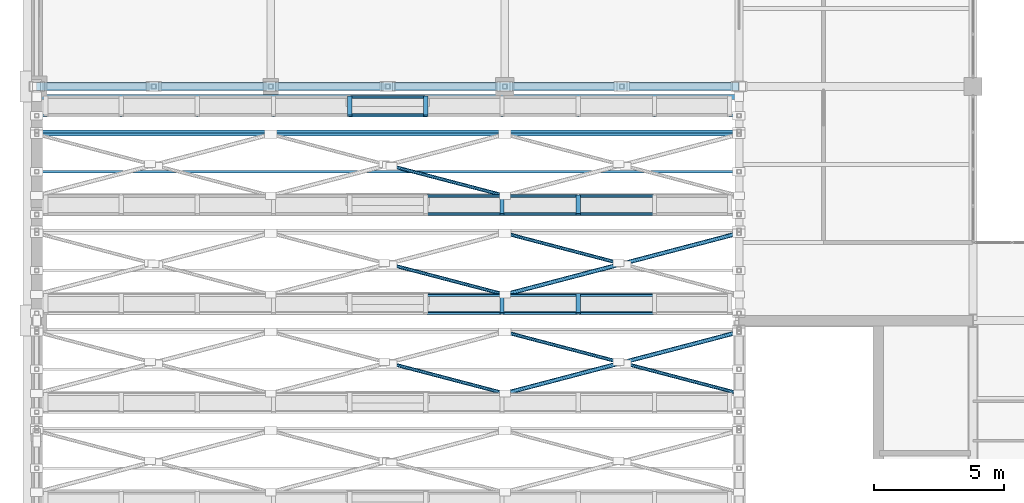
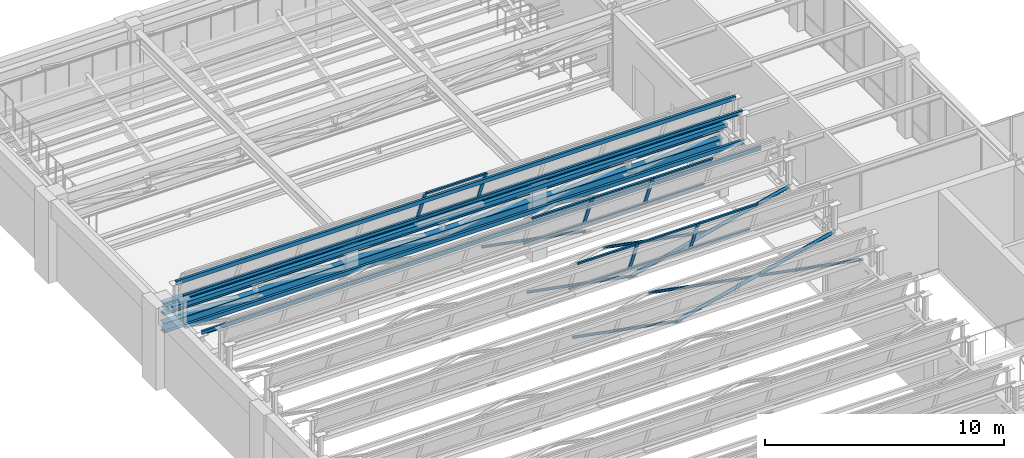
# One storey, part 24 of 108: 32 members, 3 beams, 3 elements without a shape of their own.
"""IFC4 building model written with IfcOpenShell, lengths in metres."""

import ifcopenshell
import ifcopenshell.guid

model = None  # the IFC model being written
_history = None  # IfcOwnerHistory: only IFC2X3 demands one
_inside = {}  # id of a spatial element -> (the spatial element, [elements in it])
_under = {}  # id of a project, library or spatial element -> (it, [spatial elements below it])
_declared = {}  # id of a project -> (the project, [libraries it declares])
_typed = {}  # id of a type object -> (the type object, [elements of that type])
_made_of = {}  # id of a material, layer set ... -> (it, [elements and type objects made of it])


def new_model(schema):
    """Start an empty IFC model of exactly this schema.

    Asked for "IFC4X3", IfcOpenShell would pick the latest addendum, in which some entities
    have other attributes; the version numbers below select the first issue.
    IFC2X3 requires an IfcOwnerHistory on every rooted entity: one is made here for all.
    """
    global model, _history
    if schema == "IFC4X3":
        model = ifcopenshell.file(schema_version=(4, 3, 0, 0))
    else:
        model = ifcopenshell.file(schema=schema)
    _inside.clear()
    _under.clear()
    _declared.clear()
    _typed.clear()
    _made_of.clear()
    _history = None
    if model.schema == "IFC2X3":
        org = make("IfcOrganization", Name="unknown")
        user = make(
            "IfcPersonAndOrganization",
            ThePerson=make("IfcPerson", FamilyName="unknown"),
            TheOrganization=org,
        )
        app = make(
            "IfcApplication",
            ApplicationDeveloper=org,
            Version="unknown",
            ApplicationFullName="unknown",
            ApplicationIdentifier="unknown",
        )
        _history = make(
            "IfcOwnerHistory",
            OwningUser=user,
            OwningApplication=app,
            ChangeAction="ADDED",
            CreationDate=0,
        )
    return model


def make(cls, **values):
    """One entity of the class cls with the attributes given. An attribute that is None is left unset."""
    return model.create_entity(
        cls, **{name: value for name, value in values.items() if value is not None}
    )


def rooted(cls, **values):
    """An entity with a GlobalId (a new one), such as an element, a storey or a relation."""
    return make(cls, GlobalId=ifcopenshell.guid.new(), OwnerHistory=_history, **values)


def si_unit(unit_type, name, prefix=None):
    """IfcSIUnit, for example si_unit("LENGTHUNIT", "METRE", prefix="MILLI")."""
    return make("IfcSIUnit", UnitType=unit_type, Prefix=prefix, Name=name)


def assignment(units):
    """IfcUnitAssignment: the units of a project."""
    return None if units is None else make("IfcUnitAssignment", Units=units)


def point(xyz):
    """IfcCartesianPoint."""
    return None if xyz is None else make("IfcCartesianPoint", Coordinates=xyz)


def direction(xyz):
    """IfcDirection."""
    return None if xyz is None else make("IfcDirection", DirectionRatios=xyz)


def frame(location, z_axis=None, x_axis=None):
    """IfcAxis2Placement3D, a coordinate frame: its origin and axes. An axis left out is left unset."""
    return make(
        "IfcAxis2Placement3D",
        Location=point(location),
        Axis=direction(z_axis),
        RefDirection=direction(x_axis),
    )


def frame_2d(location, x_axis=None):
    """IfcAxis2Placement2D, a coordinate frame in the plane: its origin and x axis."""
    return make(
        "IfcAxis2Placement2D", Location=point(location), RefDirection=direction(x_axis)
    )


def origin():
    """The frame at (0, 0, 0) with its axes left unset."""
    return frame((0.0, 0.0, 0.0))


def origin_2d():
    """The frame at (0, 0) in the plane with its x axis left unset."""
    return frame_2d((0.0, 0.0))


def place(relative_to, where):
    """IfcLocalPlacement: puts the frame where relative to a parent placement (None: the world)."""
    return make(
        "IfcLocalPlacement", PlacementRelTo=relative_to, RelativePlacement=where
    )


def context(
    kind, dimensions, precision=None, world=None, true_north=None, identifier=None
):
    """IfcGeometricRepresentationContext, for example the 3D "Model" context."""
    return make(
        "IfcGeometricRepresentationContext",
        ContextIdentifier=identifier,
        ContextType=kind,
        CoordinateSpaceDimension=dimensions,
        Precision=precision,
        WorldCoordinateSystem=world,
        TrueNorth=true_north,
    )


def subcontext(parent, identifier, kind, view, scale=None):
    """IfcGeometricRepresentationSubContext, for example "Body" below "Model"."""
    return make(
        "IfcGeometricRepresentationSubContext",
        ContextIdentifier=identifier,
        ContextType=kind,
        ParentContext=parent,
        TargetScale=scale,
        TargetView=view,
    )


def project(units=None, contexts=None):
    """IfcProject with its units and contexts."""
    return rooted(
        "IfcProject",
        Name="project",
        RepresentationContexts=contexts,
        UnitsInContext=assignment(units),
    )


def spatial(cls, under=None, at=None, **own):
    """A site, building, storey or space (cls), placed at a placement, below another one or the project."""
    s = rooted(cls, ObjectPlacement=at, **own)
    if under is not None:
        _under.setdefault(under.id(), (under, []))[1].append(s)
    return s


def profile(cls, at=None, kind="AREA", **sizes):
    """A parametric profile (cls). Its sizes go by their IFC names, for example OverallWidth=200.0."""
    return make(cls, ProfileType=kind, Position=at, **sizes)


def hollow_rectangle(**sizes):
    """IfcRectangleHollowProfileDef."""
    return profile("IfcRectangleHollowProfileDef", **sizes)


def hollow_circle(**sizes):
    """IfcCircleHollowProfileDef."""
    return profile("IfcCircleHollowProfileDef", **sizes)


def i_section(**sizes):
    """IfcIShapeProfileDef."""
    return profile("IfcIShapeProfileDef", **sizes)


def extrude(swept, where, along, depth):
    """IfcExtrudedAreaSolid: the profile swept, set in the frame where, extruded along a direction by depth."""
    return make(
        "IfcExtrudedAreaSolid",
        SweptArea=swept,
        Position=where,
        ExtrudedDirection=direction(along),
        Depth=depth,
    )


def shape(context_of_items, identifier, shape_type, items):
    """IfcShapeRepresentation: the items that make up one representation, for example the "Body"."""
    return make(
        "IfcShapeRepresentation",
        ContextOfItems=context_of_items,
        RepresentationIdentifier=identifier,
        RepresentationType=shape_type,
        Items=items,
    )


def material(Name=None, Category=None):
    """IfcMaterial."""
    return make("IfcMaterial", Name=Name, Category=Category)


def material_profile(
    of_material, cross_section, Name=None, Category=None, Priority=None
):
    """IfcMaterialProfile: a cross section and its material."""
    return make(
        "IfcMaterialProfile",
        Name=Name,
        Material=of_material,
        Profile=cross_section,
        Priority=Priority,
        Category=Category,
    )


def profile_set(profiles, Name=None, composite=None):
    """IfcMaterialProfileSet."""
    return make(
        "IfcMaterialProfileSet",
        Name=Name,
        MaterialProfiles=profiles,
        CompositeProfile=composite,
    )


def made_of(thing, what):
    """Note that an element or type object is made of a material, layer set ...; save() writes the relation."""
    if what is not None:
        _made_of.setdefault(what.id(), (what, []))[1].append(thing)
    return thing


def type_object(cls, material=None, **own):
    """A type object (cls), such as IfcWallType, which elements share."""
    return made_of(rooted(cls, **own), material)


def element(
    cls,
    number,
    at=None,
    inside=None,
    cuts=None,
    type_object=None,
    material=None,
    context=None,
    identifier="Body",
    shape_type=None,
    held_by="IfcProductDefinitionShape",
    body=None,
    shapes=None,
    **own,
):
    """One element of the class cls, such as IfcWall. Its Tag is "e" and its number.

    at: its placement. inside: the storey or other place that contains it. cuts: it is an
    opening in that element (IfcRelVoidsElement). A single representation is given by context,
    identifier, shape_type and body (its items); several are given by shapes. held_by: the class
    of the entity that holds the representations. save() writes the other relations.
    """
    e = rooted(cls, Tag="e%d" % number, ObjectPlacement=at, **own)
    if body is not None:
        shapes = [shape(context, identifier, shape_type, body)]
    if shapes is not None:
        e.Representation = make(held_by, Representations=shapes)
    if inside is not None:
        _inside.setdefault(inside.id(), (inside, []))[1].append(e)
    if cuts is not None:
        rooted(
            "IfcRelVoidsElement", RelatingBuildingElement=cuts, RelatedOpeningElement=e
        )
    if type_object is not None:
        _typed.setdefault(type_object.id(), (type_object, []))[1].append(e)
    return made_of(e, material)


def aggregate(whole, parts):
    """IfcRelAggregates: a whole, such as a stair, and the parts it consists of."""
    return rooted("IfcRelAggregates", RelatingObject=whole, RelatedObjects=parts)


def save(model, path):
    """Write the relations noted so far, then the file.

    IfcRelAggregates (storeys below a building ...), IfcRelContainedInSpatialStructure (elements
    in a storey), IfcRelDefinesByType, IfcRelAssociatesMaterial and IfcRelDeclares: one each for
    every whole, place, type object, material and project.
    """
    for whole, parts in _under.values():
        aggregate(whole, parts)
    for where, things in _inside.values():
        rooted(
            "IfcRelContainedInSpatialStructure",
            RelatedElements=things,
            RelatingStructure=where,
        )
    for kind, things in _typed.values():
        rooted("IfcRelDefinesByType", RelatedObjects=things, RelatingType=kind)
    for what, things in _made_of.values():
        rooted("IfcRelAssociatesMaterial", RelatedObjects=things, RelatingMaterial=what)
    for by, libraries in _declared.values():
        rooted("IfcRelDeclares", RelatingContext=by, RelatedDefinitions=libraries)
    model.write(path)


model = new_model("IFC4")

# Units and contexts
model_context = context("Model", 3, precision=1e-05, world=origin(), true_north=direction((0.0, 1.0)))
body_context = subcontext(model_context, "Body", "Model", "MODEL_VIEW")
ifc_project = project(units=[si_unit("LENGTHUNIT", "METRE"), si_unit("AREAUNIT", "SQUARE_METRE"), si_unit("VOLUMEUNIT", "CUBIC_METRE"), si_unit("PLANEANGLEUNIT", "RADIAN"), si_unit("MASSUNIT", "GRAM", prefix="KILO")], contexts=[model_context])

# Site, building, storey
site_placement = place(None, origin())
site = spatial("IfcSite", under=ifc_project, at=site_placement, CompositionType="ELEMENT")
building_placement = place(site_placement, origin())
building = spatial("IfcBuilding", under=site, at=building_placement, Name="Lykobir Media Centre", CompositionType="ELEMENT")
storey_placement = place(building_placement, frame((0.0, 0.0, 15.0)))
storey = spatial("IfcBuildingStorey", under=building, at=storey_placement, Name="L03", CompositionType="ELEMENT", Elevation=15.0)

# Beam
ifc_material_1 = material(Name="Steel S355", Category="steel")
ifc_material_profile_1 = material_profile(ifc_material_1, i_section(OverallWidth=0.300048828125, OverallDepth=0.60009765625, WebThickness=0.015380859375, FlangeThickness=0.030029296875, at=origin_2d()), Name="HEB 600")
ifc_profile_set_1 = profile_set([ifc_material_profile_1], Name="Steel S355")
beam_type_1 = type_object("IfcBeamType", Name="BM-HEB600", PredefinedType="BEAM", material=ifc_profile_set_1)
beam_placement = place(storey_placement, frame((0.0, 27.0, 3.64990234375), z_axis=(1.0, 0.0, 0.0), x_axis=(0.0, 1.0, 0.0)))
element("IfcBeam", 1, at=beam_placement, inside=storey, type_object=beam_type_1, Name="Beam BM-L03-0000-0270-0270-0270-1865", PredefinedType="BEAM", context=body_context, shape_type="SweptSolid", body=[
    extrude(i_section(OverallWidth=0.300048828125, OverallDepth=0.60009765625, WebThickness=0.015380859375, FlangeThickness=0.030029296875, at=origin_2d()), origin(), (0.0, 0.0, 1.0), 27.0),
])

# Members
ifc_material_profile_2 = material_profile(ifc_material_1, hollow_circle(Radius=0.06982421875, WallThickness=0.008056640625, at=origin_2d()), Name="CHS 139.7x8.0")
ifc_profile_set_2 = profile_set([ifc_material_profile_2], Name="Steel S355")
member_type_1 = type_object("IfcMemberType", Name="BR-CHS140", PredefinedType="BRACE", material=ifc_profile_set_2)
for number, where, z_axis, x_axis, name in (
    (2, (18.0, 15.199951171875, 3.840087890625), (-0.967253715929, 0.253811443834, 0.0), (-0.253811443834, -0.967253715929, 0.0), "Diagonal brace MEM2-L03-0180-0152-0188-0136-0163-0232"),
    (3, (27.0, 15.199951171875, 3.840087890625), (-0.967253715929, 0.253811443834, 0.0), (-0.253811443834, -0.967253715929, 0.0), "Diagonal brace MEM2-L03-0270-0152-0188-0226-0163-0235"),
    (4, (22.364501953125, 16.416015625, 3.840087890625), (-0.967253715929, 0.253811443834, 0.0), (-0.253811443834, -0.967253715929, 0.0), "Diagonal brace MEM2-L03-0224-0164-0188-0180-0176-0236"),
    (5, (18.0, 19.0, 3.840087890625), (-0.967266997824, 0.253760822274, 0.0), (-0.253760822274, -0.967266997824, 0.0), "Diagonal brace MEM2-L03-0180-0190-0188-0136-0201-0252"),
    (6, (22.364501953125, 20.216064453125, 3.840087890625), (-0.967253715929, 0.253811443834, 0.0), (-0.253811443834, -0.967253715929, 0.0), "Diagonal brace MEM2-L03-0224-0202-0188-0180-0214-0256"),
    (7, (18.0, 22.800048828125, 3.840087890625), (-0.967253715929, 0.253811443834, 0.0), (-0.253811443834, -0.967253715929, 0.0), "Diagonal brace MEM2-L03-0180-0228-0188-0136-0239-0273"),
):
    element("IfcMember", number, at=place(storey_placement, frame(where, z_axis=z_axis, x_axis=x_axis)), inside=storey, type_object=member_type_1, Name=name, PredefinedType="BRACE", context=body_context, shape_type="SweptSolid", body=[
        extrude(hollow_circle(Radius=0.06982421875, WallThickness=0.008056640625, at=origin_2d()), origin(), (0.0, 0.0, 1.0), 4.51220703125),
    ])
ifc_material_profile_3 = material_profile(ifc_material_1, hollow_circle(Radius=0.084228515625, WallThickness=0.010009765625, at=origin_2d()), Name="CHS 168.3x10.0")
ifc_profile_set_3 = profile_set([ifc_material_profile_3], Name="Steel S355")
member_type_2 = type_object("IfcMemberType", Name="BR-CHS168", PredefinedType="BRACE", material=ifc_profile_set_3)
for number, where, z_axis, x_axis, name in (
    (8, (18.0, 15.199951171875, 3.840087890625), (0.967261887678, 0.253780299957, 0.0), (-0.253780299957, 0.967261887678, 0.0), "Diagonal brace MEM2-L03-0180-0152-0188-0270-0176-0234"),
    (9, (18.0, 19.0, 3.840087890625), (0.967261887678, 0.253780299957, 0.0), (-0.253780299957, 0.967261887678, 0.0), "Diagonal brace MEM2-L03-0180-0190-0188-0270-0214-0254"),
):
    element("IfcMember", number, at=place(storey_placement, frame(where, z_axis=z_axis, x_axis=x_axis)), inside=storey, type_object=member_type_2, Name=name, PredefinedType="BRACE", context=body_context, shape_type="SweptSolid", body=[
        extrude(hollow_circle(Radius=0.084228515625, WallThickness=0.010009765625, at=origin_2d()), origin(), (0.0, 0.0, 1.0), 9.3046875),
    ])

# Curtain wall, members
ifc_material_2 = material(Name="Anodized Aluminium AW-6060", Category="aluminium")
curtain_wall_type = type_object("IfcCurtainWallType", Name="CW-NL-V1", PredefinedType="NOTDEFINED", material=ifc_material_2)
curtain_wall_1_placement = place(storey_placement, origin())
curtain_wall_1 = element("IfcCurtainWall", 10, at=curtain_wall_1_placement, inside=storey, type_object=curtain_wall_type, Name="Curtain wall CW-NL-V1-05", PredefinedType="NOTDEFINED")
ifc_material_profile_4 = material_profile(ifc_material_2, hollow_rectangle(XDim=0.070068359375, YDim=0.1650390625, WallThickness=0.00390625, at=origin_2d()), Name="ALU MULLION 70x165")
ifc_profile_set_4 = profile_set([ifc_material_profile_4], Name="Anodized Aluminium AW-6060")
member_type_3 = type_object("IfcMemberType", Name="CWM-165", PredefinedType="MULLION", material=ifc_profile_set_4)
member_1_placement = place(storey_placement, frame((17.893310546875, 19.0, 4.199951171875), z_axis=(0.0, -0.374591377287, 0.927190002137), x_axis=(0.0, 0.927190002137, 0.374591377287)))
member_1 = element("IfcMember", 11, at=member_1_placement, type_object=member_type_3, Name="CW-NL-V1-05 mullion 7", PredefinedType="MULLION", context=body_context, shape_type="SweptSolid", body=[
    extrude(hollow_rectangle(XDim=0.070068359375, YDim=0.1650390625, WallThickness=0.00390625, at=origin_2d()), origin(), (0.0, 0.0, 1.0), 1.918701171875),
])
member_2_placement = place(storey_placement, frame((20.822265625, 19.0, 4.199951171875), z_axis=(0.0, -0.374591377287, 0.927190002137), x_axis=(0.0, 0.927190002137, 0.374591377287)))
member_2 = element("IfcMember", 12, at=member_2_placement, type_object=member_type_3, Name="CW-NL-V1-05 mullion 8", PredefinedType="MULLION", context=body_context, shape_type="SweptSolid", body=[
    extrude(hollow_rectangle(XDim=0.070068359375, YDim=0.1650390625, WallThickness=0.00390625, at=origin_2d()), origin(), (0.0, 0.0, 1.0), 1.918701171875),
])

curtain_wall_2_placement = place(storey_placement, origin())
curtain_wall_2 = element("IfcCurtainWall", 13, at=curtain_wall_2_placement, inside=storey, type_object=curtain_wall_type, Name="Curtain wall CW-NL-V1-06", PredefinedType="NOTDEFINED")
member_3_placement = place(storey_placement, frame((17.893310546875, 22.800048828125, 4.199951171875), z_axis=(0.0, -0.374591377287, 0.927190002137), x_axis=(0.0, 0.927190002137, 0.374591377287)))
member_3 = element("IfcMember", 14, at=member_3_placement, type_object=member_type_3, Name="CW-NL-V1-06 mullion 7", PredefinedType="MULLION", context=body_context, shape_type="SweptSolid", body=[
    extrude(hollow_rectangle(XDim=0.070068359375, YDim=0.1650390625, WallThickness=0.00390625, at=origin_2d()), origin(), (0.0, 0.0, 1.0), 1.918701171875),
])
member_4_placement = place(storey_placement, frame((20.822265625, 22.800048828125, 4.199951171875), z_axis=(0.0, -0.374591377287, 0.927190002137), x_axis=(0.0, 0.927190002137, 0.374591377287)))
member_4 = element("IfcMember", 15, at=member_4_placement, type_object=member_type_3, Name="CW-NL-V1-06 mullion 8", PredefinedType="MULLION", context=body_context, shape_type="SweptSolid", body=[
    extrude(hollow_rectangle(XDim=0.070068359375, YDim=0.1650390625, WallThickness=0.00390625, at=origin_2d()), origin(), (0.0, 0.0, 1.0), 1.918701171875),
])

curtain_wall_3_placement = place(storey_placement, origin())
curtain_wall_3 = element("IfcCurtainWall", 16, at=curtain_wall_3_placement, inside=storey, type_object=curtain_wall_type, Name="Curtain wall CW-NL-V1-07", PredefinedType="NOTDEFINED")
member_5_placement = place(storey_placement, frame((12.03564453125, 26.60009765625, 4.199951171875), z_axis=(0.0, -0.374700754386, 0.927145805504), x_axis=(0.0, 0.927145805504, 0.374700754386)))
member_5 = element("IfcMember", 17, at=member_5_placement, type_object=member_type_3, Name="CW-NL-V1-07 mullion 5", PredefinedType="MULLION", context=body_context, shape_type="SweptSolid", body=[
    extrude(hollow_rectangle(XDim=0.070068359375, YDim=0.1650390625, WallThickness=0.00390625, at=origin_2d()), origin(), (0.0, 0.0, 1.0), 1.9189453125),
])
member_6_placement = place(storey_placement, frame((14.96435546875, 26.60009765625, 4.199951171875), z_axis=(0.0, -0.374700754386, 0.927145805504), x_axis=(0.0, 0.927145805504, 0.374700754386)))
member_6 = element("IfcMember", 18, at=member_6_placement, type_object=member_type_3, Name="CW-NL-V1-07 mullion 6", PredefinedType="MULLION", context=body_context, shape_type="SweptSolid", body=[
    extrude(hollow_rectangle(XDim=0.070068359375, YDim=0.1650390625, WallThickness=0.00390625, at=origin_2d()), origin(), (0.0, 0.0, 1.0), 1.9189453125),
])

# Member
ifc_material_profile_5 = material_profile(ifc_material_2, hollow_rectangle(XDim=0.070068359375, YDim=0.135009765625, WallThickness=0.00341796875, at=origin_2d()), Name="ALU TRANSOM 70x135")
ifc_profile_set_5 = profile_set([ifc_material_profile_5], Name="Anodized Aluminium AW-6060")
member_type_4 = type_object("IfcMemberType", Name="CWT-135", PredefinedType="USERDEFINED", material=ifc_profile_set_5)
member_7_placement = place(storey_placement, frame((14.99951171875, 18.98681640625, 4.232421875), z_axis=(1.0, 0.0, 0.0), x_axis=(0.0, 0.927183854567, 0.374606593416)))
member_7 = element("IfcMember", 19, at=member_7_placement, type_object=member_type_4, Name="CW-NL-V1-05 transom 6.1", ObjectType="TRANSOM", PredefinedType="USERDEFINED", context=body_context, shape_type="SweptSolid", body=[
    extrude(hollow_rectangle(XDim=0.070068359375, YDim=0.135009765625, WallThickness=0.00341796875, at=origin_2d()), origin(), (0.0, 0.0, 1.0), 2.85888671875),
])

member_8_placement = place(storey_placement, frame((14.99951171875, 18.29443359375, 5.946533203125), z_axis=(1.0, 0.0, 0.0), x_axis=(0.0, 0.927183854567, 0.374606593416)))
member_8 = element("IfcMember", 20, at=member_8_placement, type_object=member_type_4, Name="CW-NL-V1-05 transom 6.2", ObjectType="TRANSOM", PredefinedType="USERDEFINED", context=body_context, shape_type="SweptSolid", body=[
    extrude(hollow_rectangle(XDim=0.070068359375, YDim=0.135009765625, WallThickness=0.00341796875, at=origin_2d()), origin(), (0.0, 0.0, 1.0), 2.85888671875),
])

member_9_placement = place(storey_placement, frame((17.92822265625, 18.98681640625, 4.232421875), z_axis=(1.0, 0.0, 0.0), x_axis=(0.0, 0.927183854567, 0.374606593416)))
member_9 = element("IfcMember", 21, at=member_9_placement, type_object=member_type_4, Name="CW-NL-V1-05 transom 7.1", ObjectType="TRANSOM", PredefinedType="USERDEFINED", context=body_context, shape_type="SweptSolid", body=[
    extrude(hollow_rectangle(XDim=0.070068359375, YDim=0.135009765625, WallThickness=0.00341796875, at=origin_2d()), origin(), (0.0, 0.0, 1.0), 2.85888671875),
])

member_10_placement = place(storey_placement, frame((17.92822265625, 18.29443359375, 5.946533203125), z_axis=(1.0, 0.0, 0.0), x_axis=(0.0, 0.927183854567, 0.374606593416)))
member_10 = element("IfcMember", 22, at=member_10_placement, type_object=member_type_4, Name="CW-NL-V1-05 transom 7.2", ObjectType="TRANSOM", PredefinedType="USERDEFINED", context=body_context, shape_type="SweptSolid", body=[
    extrude(hollow_rectangle(XDim=0.070068359375, YDim=0.135009765625, WallThickness=0.00341796875, at=origin_2d()), origin(), (0.0, 0.0, 1.0), 2.85888671875),
])

member_11_placement = place(storey_placement, frame((20.857177734375, 18.98681640625, 4.232421875), z_axis=(1.0, 0.0, 0.0), x_axis=(0.0, 0.927183854567, 0.374606593416)))
member_11 = element("IfcMember", 23, at=member_11_placement, type_object=member_type_4, Name="CW-NL-V1-05 transom 8.1", ObjectType="TRANSOM", PredefinedType="USERDEFINED", context=body_context, shape_type="SweptSolid", body=[
    extrude(hollow_rectangle(XDim=0.070068359375, YDim=0.135009765625, WallThickness=0.00341796875, at=origin_2d()), origin(), (0.0, 0.0, 1.0), 2.85888671875),
])

member_12_placement = place(storey_placement, frame((20.857177734375, 18.29443359375, 5.946533203125), z_axis=(1.0, 0.0, 0.0), x_axis=(0.0, 0.927183854567, 0.374606593416)))
member_12 = element("IfcMember", 24, at=member_12_placement, type_object=member_type_4, Name="CW-NL-V1-05 transom 8.2", ObjectType="TRANSOM", PredefinedType="USERDEFINED", context=body_context, shape_type="SweptSolid", body=[
    extrude(hollow_rectangle(XDim=0.070068359375, YDim=0.135009765625, WallThickness=0.00341796875, at=origin_2d()), origin(), (0.0, 0.0, 1.0), 2.85888671875),
])

aggregate(curtain_wall_1, [member_1, member_2, member_7, member_8, member_9, member_10, member_11, member_12])

member_13_placement = place(storey_placement, frame((14.99951171875, 22.786865234375, 4.232421875), z_axis=(1.0, 0.0, 0.0), x_axis=(0.0, 0.927183854567, 0.374606593416)))
member_13 = element("IfcMember", 25, at=member_13_placement, type_object=member_type_4, Name="CW-NL-V1-06 transom 6.1", ObjectType="TRANSOM", PredefinedType="USERDEFINED", context=body_context, shape_type="SweptSolid", body=[
    extrude(hollow_rectangle(XDim=0.070068359375, YDim=0.135009765625, WallThickness=0.00341796875, at=origin_2d()), origin(), (0.0, 0.0, 1.0), 2.85888671875),
])

member_14_placement = place(storey_placement, frame((14.99951171875, 22.094482421875, 5.946533203125), z_axis=(1.0, 0.0, 0.0), x_axis=(0.0, 0.927183854567, 0.374606593416)))
member_14 = element("IfcMember", 26, at=member_14_placement, type_object=member_type_4, Name="CW-NL-V1-06 transom 6.2", ObjectType="TRANSOM", PredefinedType="USERDEFINED", context=body_context, shape_type="SweptSolid", body=[
    extrude(hollow_rectangle(XDim=0.070068359375, YDim=0.135009765625, WallThickness=0.00341796875, at=origin_2d()), origin(), (0.0, 0.0, 1.0), 2.85888671875),
])

member_15_placement = place(storey_placement, frame((17.92822265625, 22.786865234375, 4.232421875), z_axis=(1.0, 0.0, 0.0), x_axis=(0.0, 0.927183854567, 0.374606593416)))
member_15 = element("IfcMember", 27, at=member_15_placement, type_object=member_type_4, Name="CW-NL-V1-06 transom 7.1", ObjectType="TRANSOM", PredefinedType="USERDEFINED", context=body_context, shape_type="SweptSolid", body=[
    extrude(hollow_rectangle(XDim=0.070068359375, YDim=0.135009765625, WallThickness=0.00341796875, at=origin_2d()), origin(), (0.0, 0.0, 1.0), 2.85888671875),
])

member_16_placement = place(storey_placement, frame((17.92822265625, 22.094482421875, 5.946533203125), z_axis=(1.0, 0.0, 0.0), x_axis=(0.0, 0.927183854567, 0.374606593416)))
member_16 = element("IfcMember", 28, at=member_16_placement, type_object=member_type_4, Name="CW-NL-V1-06 transom 7.2", ObjectType="TRANSOM", PredefinedType="USERDEFINED", context=body_context, shape_type="SweptSolid", body=[
    extrude(hollow_rectangle(XDim=0.070068359375, YDim=0.135009765625, WallThickness=0.00341796875, at=origin_2d()), origin(), (0.0, 0.0, 1.0), 2.85888671875),
])

member_17_placement = place(storey_placement, frame((20.857177734375, 22.786865234375, 4.232421875), z_axis=(1.0, 0.0, 0.0), x_axis=(0.0, 0.927183854567, 0.374606593416)))
member_17 = element("IfcMember", 29, at=member_17_placement, type_object=member_type_4, Name="CW-NL-V1-06 transom 8.1", ObjectType="TRANSOM", PredefinedType="USERDEFINED", context=body_context, shape_type="SweptSolid", body=[
    extrude(hollow_rectangle(XDim=0.070068359375, YDim=0.135009765625, WallThickness=0.00341796875, at=origin_2d()), origin(), (0.0, 0.0, 1.0), 2.85888671875),
])

member_18_placement = place(storey_placement, frame((20.857177734375, 22.094482421875, 5.946533203125), z_axis=(1.0, 0.0, 0.0), x_axis=(0.0, 0.927183854567, 0.374606593416)))
member_18 = element("IfcMember", 30, at=member_18_placement, type_object=member_type_4, Name="CW-NL-V1-06 transom 8.2", ObjectType="TRANSOM", PredefinedType="USERDEFINED", context=body_context, shape_type="SweptSolid", body=[
    extrude(hollow_rectangle(XDim=0.070068359375, YDim=0.135009765625, WallThickness=0.00341796875, at=origin_2d()), origin(), (0.0, 0.0, 1.0), 2.85888671875),
])

aggregate(curtain_wall_2, [member_3, member_4, member_13, member_14, member_15, member_16, member_17, member_18])

member_19_placement = place(storey_placement, frame((12.070556640625, 26.5869140625, 4.232421875), z_axis=(1.0, 0.0, 0.0), x_axis=(0.0, 0.927183854567, 0.374606593416)))
member_19 = element("IfcMember", 31, at=member_19_placement, type_object=member_type_4, Name="CW-NL-V1-07 transom 5.1", ObjectType="TRANSOM", PredefinedType="USERDEFINED", context=body_context, shape_type="SweptSolid", body=[
    extrude(hollow_rectangle(XDim=0.070068359375, YDim=0.135009765625, WallThickness=0.00341796875, at=origin_2d()), origin(), (0.0, 0.0, 1.0), 2.85888671875),
])

member_20_placement = place(storey_placement, frame((12.070556640625, 25.894287109375, 5.946533203125), z_axis=(1.0, 0.0, 0.0), x_axis=(0.0, 0.927183854567, 0.374606593416)))
member_20 = element("IfcMember", 32, at=member_20_placement, type_object=member_type_4, Name="CW-NL-V1-07 transom 5.2", ObjectType="TRANSOM", PredefinedType="USERDEFINED", context=body_context, shape_type="SweptSolid", body=[
    extrude(hollow_rectangle(XDim=0.070068359375, YDim=0.135009765625, WallThickness=0.00341796875, at=origin_2d()), origin(), (0.0, 0.0, 1.0), 2.85888671875),
])

aggregate(curtain_wall_3, [member_5, member_6, member_19, member_20])

# Beams
ifc_material_profile_6 = material_profile(ifc_material_1, i_section(OverallWidth=0.10009765625, OverallDepth=0.199951171875, WebThickness=0.005615234375, FlangeThickness=0.008544921875, at=origin_2d()), Name="IPE 200")
ifc_profile_set_6 = profile_set([ifc_material_profile_6], Name="Steel S355")
beam_type_2 = type_object("IfcBeamType", Name="PR-IPE200", PredefinedType="JOIST", material=ifc_profile_set_6)
for number, where, z_axis, x_axis, name in (
    (33, (0.0, 23.727294921875, 4.372802734375), (1.0, 0.0, 0.0), (0.0, 1.0, 0.0), "Beam BM-L03-0000-0237-0270-0237-1937"),
    (34, (0.0, 25.267822265625, 5.26220703125), (1.0, 0.0, 0.0), (0.0, 1.0, 0.0), "Beam BM-L03-0000-0253-0270-0253-2026"),
):
    element("IfcBeam", number, at=place(storey_placement, frame(where, z_axis=z_axis, x_axis=x_axis)), inside=storey, type_object=beam_type_2, Name=name, PredefinedType="JOIST", context=body_context, shape_type="SweptSolid", body=[
        extrude(i_section(OverallWidth=0.10009765625, OverallDepth=0.199951171875, WebThickness=0.005615234375, FlangeThickness=0.008544921875, at=origin_2d()), origin(), (0.0, 0.0, 1.0), 27.0),
    ])

# Members
ifc_material_profile_7 = material_profile(ifc_material_1, i_section(OverallWidth=0.300048828125, OverallDepth=0.5, WebThickness=0.014404296875, FlangeThickness=0.028076171875, at=origin_2d()), Name="HEB 500")
ifc_profile_set_7 = profile_set([ifc_material_profile_7], Name="Steel S355")
member_type_5 = type_object("IfcMemberType", Name="TC-HEB500", PredefinedType="CHORD", material=ifc_profile_set_7)
member_21_placement = place(storey_placement, frame((0.0, 27.0, 2.699951171875), z_axis=(1.0, 0.0, 0.0), x_axis=(0.0, 1.0, 0.0)))
element("IfcMember", 35, at=member_21_placement, inside=storey, type_object=member_type_5, Name="Truss chord MEM2-L03-0000-0270-0177-0270-0270-0097", PredefinedType="CHORD", context=body_context, shape_type="SweptSolid", body=[
    extrude(i_section(OverallWidth=0.300048828125, OverallDepth=0.5, WebThickness=0.014404296875, FlangeThickness=0.028076171875, at=origin_2d()), origin(), (0.0, 0.0, 1.0), 27.0),
])
ifc_material_profile_8 = material_profile(ifc_material_1, hollow_rectangle(XDim=0.1201171875, YDim=0.199951171875, WallThickness=0.010009765625, at=origin_2d()), Name="RHS 200x120x10")
ifc_profile_set_8 = profile_set([ifc_material_profile_8], Name="Steel S355")
member_type_6 = type_object("IfcMemberType", Name="TC-RHS200", PredefinedType="CHORD", material=ifc_profile_set_8)
for number, where, z_axis, x_axis, name in (
    (36, (0.0, 25.88134765625, 5.62890625), (1.0, 0.0, 0.0), (0.0, 1.0, 0.0), "Truss chord MEM2-L03-0000-0259-0206-0270-0259-0266"),
    (37, (0.0, 25.161376953125, 3.840087890625), (1.0, 0.0, 0.0), (0.0, 1.0, 0.0), "Truss chord MEM2-L03-0000-0252-0188-0270-0252-0267"),
):
    element("IfcMember", number, at=place(storey_placement, frame(where, z_axis=z_axis, x_axis=x_axis)), inside=storey, type_object=member_type_6, Name=name, PredefinedType="CHORD", context=body_context, shape_type="SweptSolid", body=[
        extrude(hollow_rectangle(XDim=0.1201171875, YDim=0.199951171875, WallThickness=0.010009765625, at=origin_2d()), origin(), (0.0, 0.0, 1.0), 27.0),
    ])
ifc_material_profile_9 = material_profile(ifc_material_1, hollow_rectangle(XDim=0.199951171875, YDim=0.199951171875, WallThickness=0.010009765625, at=origin_2d()), Name="SHS 200x200x10")
ifc_profile_set_9 = profile_set([ifc_material_profile_9], Name="Steel S355")
member_type_7 = type_object("IfcMemberType", Name="TC-SHS200", PredefinedType="CHORD", material=ifc_profile_set_9)
member_22_placement = place(storey_placement, frame((0.0, 26.60009765625, 3.840087890625), z_axis=(1.0, 0.0, 0.0), x_axis=(0.0, 1.0, 0.0)))
element("IfcMember", 38, at=member_22_placement, inside=storey, type_object=member_type_7, Name="Truss chord MEM2-L03-0000-0266-0188-0270-0266-0268", PredefinedType="CHORD", context=body_context, shape_type="SweptSolid", body=[
    extrude(hollow_rectangle(XDim=0.199951171875, YDim=0.199951171875, WallThickness=0.010009765625, at=origin_2d()), origin(), (0.0, 0.0, 1.0), 27.0),
])

save(model, "model.ifc")
